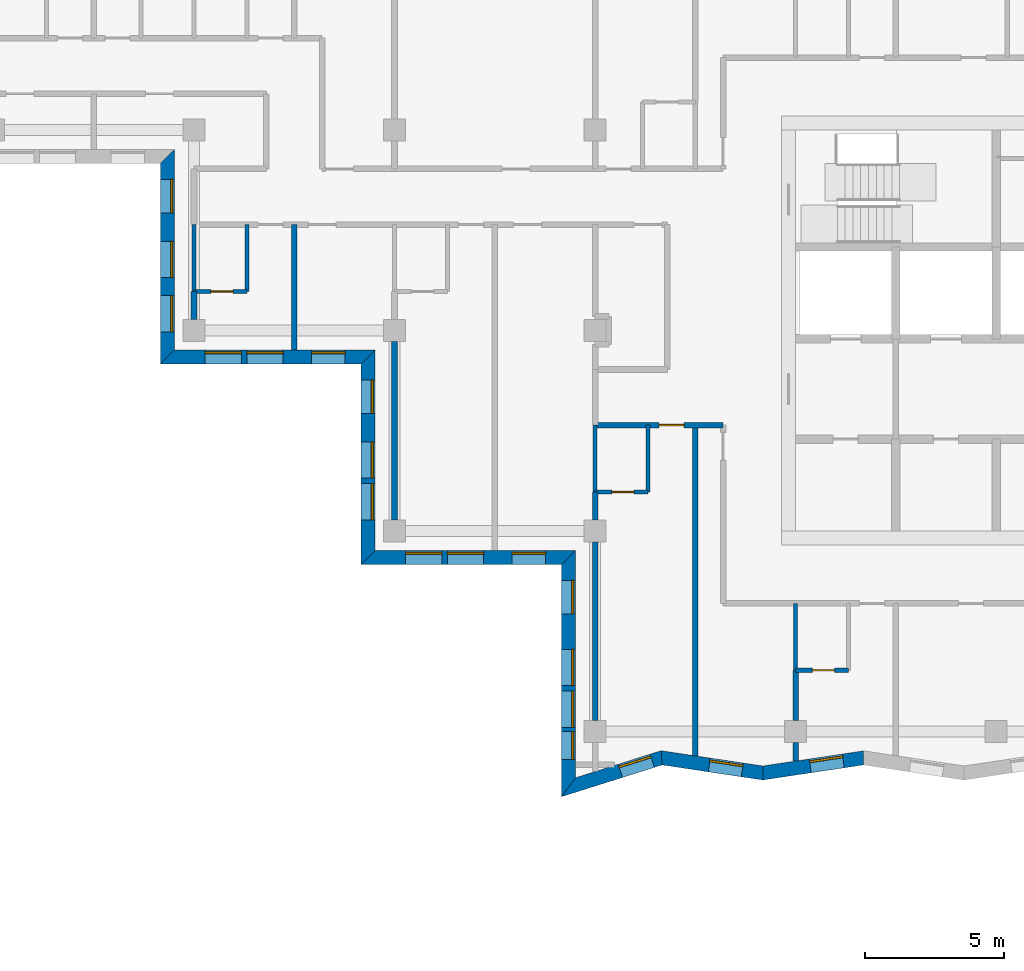
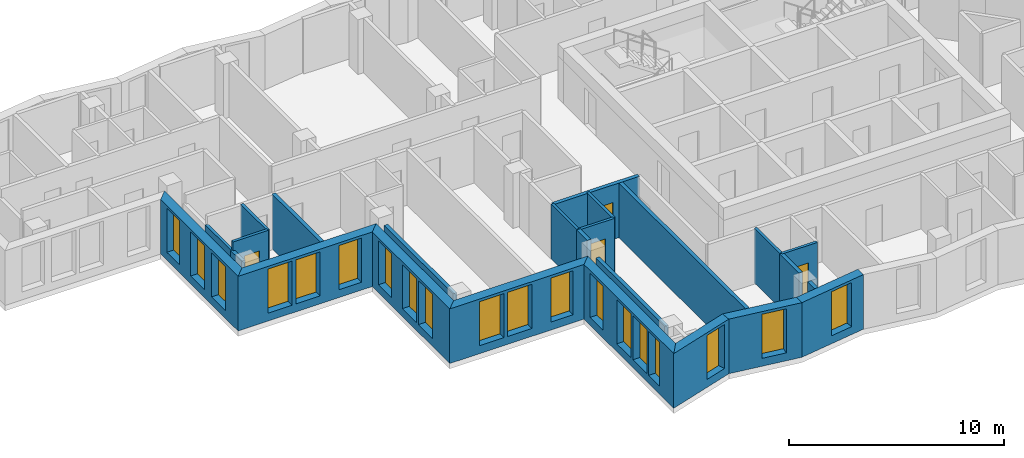
# One storey, part 2 of 13: 25 walls, 19 windows, 4 doors, 23 openings.
"""IFC4 building model written with IfcOpenShell, lengths in metres."""

from ifc_helpers import new_model, si_unit, direction, frame, frame_2d, origin, place, context, subcontext, project, spatial, polyline, rectangle, outline, extrude, material, layer, layer_set, type_object, element, fill, save


model = new_model("IFC4")

# Units and contexts
model_context = context("Model", 3, precision=1e-05, world=origin(), true_north=direction((0.0, 1.0)))
body_context = subcontext(model_context, "Body", "Model", "MODEL_VIEW")
ifc_project = project(units=[si_unit("LENGTHUNIT", "METRE"), si_unit("AREAUNIT", "SQUARE_METRE"), si_unit("VOLUMEUNIT", "CUBIC_METRE"), si_unit("PLANEANGLEUNIT", "RADIAN"), si_unit("MASSUNIT", "GRAM", prefix="KILO")], contexts=[model_context])

# Site, building, storey
site_placement = place(None, origin())
site = spatial("IfcSite", under=ifc_project, at=site_placement, CompositionType="ELEMENT")
building_placement = place(site_placement, origin())
building = spatial("IfcBuilding", under=site, at=building_placement, Name="Windrow Commons", CompositionType="ELEMENT")
storey_placement = place(building_placement, frame((0.0, 0.0, 216.8)))
storey = spatial("IfcBuildingStorey", under=building, at=storey_placement, Name="L59", CompositionType="ELEMENT", Elevation=216.8)

# Wall, openings, windows
ifc_material_1 = material(Name="Brick masonry, red clay brick", Category="masonry")
ifc_layer_1 = layer(ifc_material_1, 0.5)
ifc_layer_set_1 = layer_set([ifc_layer_1], Name="Brick facade wall 500")
wall_type_1 = type_object("IfcWallType", Name="Brick facade wall 500", PredefinedType="SOLIDWALL", material=ifc_layer_set_1)
wall_1_placement = place(storey_placement, frame((35.05, 63.85, 0.0), z_axis=(0.0, 0.0, 1.0), x_axis=(0.0, -1.0, 0.0)))
wall_1 = element("IfcWall", 1, at=wall_1_placement, inside=storey, type_object=wall_type_1, Name="Brick facade wall L59 33", PredefinedType="SOLIDWALL", context=body_context, shape_type="SweptSolid", body=[
    extrude(outline(polyline([(0.25, -0.25), (7.45, -0.25), (6.95, 0.25), (-0.25, 0.25), (0.25, -0.25)])), origin(), (0.0, 0.0, 1.0), 3.1),
])
opening_1_placement = place(wall_1_placement, frame((3.05, 0.0, 0.45)))
opening_1 = element("IfcOpeningElement", 2, at=opening_1_placement, cuts=wall_1, Name="Opening W1Q", PredefinedType="OPENING", context=body_context, shape_type="SweptSolid", body=[
    extrude(rectangle(XDim=1.3, YDim=2.5, at=frame_2d((0.65, 1.25))), frame((0.0, 0.26, 0.0), z_axis=(0.0, -1.0, 0.0), x_axis=(1.0, 0.0, 0.0)), (0.0, 0.0, 1.0), 0.52),
])
opening_2_placement = place(wall_1_placement, frame((5.0, 0.0, 0.45)))
opening_2 = element("IfcOpeningElement", 3, at=opening_2_placement, cuts=wall_1, Name="Opening W1Q", PredefinedType="OPENING", context=body_context, shape_type="SweptSolid", body=[
    extrude(rectangle(XDim=1.3, YDim=2.5, at=frame_2d((0.65, 1.25))), frame((0.0, 0.26, 0.0), z_axis=(0.0, -1.0, 0.0), x_axis=(1.0, 0.0, 0.0)), (0.0, 0.0, 1.0), 0.52),
])
opening_3_placement = place(wall_1_placement, frame((0.825, 0.0, 0.45)))
opening_3 = element("IfcOpeningElement", 4, at=opening_3_placement, cuts=wall_1, Name="Opening W7E", PredefinedType="OPENING", context=body_context, shape_type="SweptSolid", body=[
    extrude(rectangle(XDim=1.2, YDim=2.5, at=frame_2d((0.6, 1.25))), frame((0.0, 0.26, 0.0), z_axis=(0.0, -1.0, 0.0), x_axis=(1.0, 0.0, 0.0)), (0.0, 0.0, 1.0), 0.52),
])
ifc_material_2 = material(Name="Clear float glass in anodised aluminium frame", Category="aluminium")
window_type_1 = type_object("IfcWindowType", Name="Window W1Q pair 1300x2500", PartitioningType="SINGLE_PANEL", PredefinedType="WINDOW", material=ifc_material_2)
window_1_placement = place(opening_1_placement, origin())
window_1 = element("IfcWindow", 5, at=window_1_placement, inside=storey, type_object=window_type_1, Name="Window L59 33.1A", OverallHeight=2.5, OverallWidth=1.3, PartitioningType="SINGLE_PANEL", PredefinedType="WINDOW", context=body_context, shape_type="SweptSolid", body=[
    extrude(rectangle(XDim=1.3, YDim=2.5, at=frame_2d((0.65, 1.25))), frame((0.0, 0.18, 0.0), z_axis=(0.0, -1.0, 0.0), x_axis=(1.0, 0.0, 0.0)), (0.0, 0.0, 1.0), 0.06),
])
fill(opening_1, window_1)
window_2_placement = place(opening_2_placement, origin())
window_2 = element("IfcWindow", 6, at=window_2_placement, inside=storey, type_object=window_type_1, Name="Window L59 33.1B", OverallHeight=2.5, OverallWidth=1.3, PartitioningType="SINGLE_PANEL", PredefinedType="WINDOW", context=body_context, shape_type="SweptSolid", body=[
    extrude(rectangle(XDim=1.3, YDim=2.5, at=frame_2d((0.65, 1.25))), frame((0.0, 0.18, 0.0), z_axis=(0.0, -1.0, 0.0), x_axis=(1.0, 0.0, 0.0)), (0.0, 0.0, 1.0), 0.06),
])
fill(opening_2, window_2)
ifc_material_3 = material(Name="Clear float glass in anodised aluminium frame", Category="aluminium")
window_type_2 = type_object("IfcWindowType", Name="Window W7 notch 1200x2500", PartitioningType="SINGLE_PANEL", PredefinedType="WINDOW", material=ifc_material_3)
window_3_placement = place(opening_3_placement, origin())
window_3 = element("IfcWindow", 7, at=window_3_placement, inside=storey, type_object=window_type_2, Name="Window L59 33.2", OverallHeight=2.5, OverallWidth=1.2, PartitioningType="SINGLE_PANEL", PredefinedType="WINDOW", context=body_context, shape_type="SweptSolid", body=[
    extrude(rectangle(XDim=1.2, YDim=2.5, at=frame_2d((0.6, 1.25))), frame((0.0, 0.18, 0.0), z_axis=(0.0, -1.0, 0.0), x_axis=(1.0, 0.0, 0.0)), (0.0, 0.0, 1.0), 0.06),
])
fill(opening_3, window_3)

wall_2_placement = place(storey_placement, frame((35.05, 56.65, 0.0), z_axis=(0.0, 0.0, 1.0), x_axis=(1.0, 0.0, 0.0)))
wall_2 = element("IfcWall", 8, at=wall_2_placement, inside=storey, type_object=wall_type_1, Name="Brick facade wall L59 34", PredefinedType="SOLIDWALL", context=body_context, shape_type="SweptSolid", body=[
    extrude(outline(polyline([(-0.25, -0.25), (6.95, -0.25), (7.45, 0.25), (0.25, 0.25), (-0.25, -0.25)])), origin(), (0.0, 0.0, 1.0), 3.1),
])
opening_4_placement = place(wall_2_placement, frame((1.35, 0.0, 0.45)))
opening_4 = element("IfcOpeningElement", 9, at=opening_4_placement, cuts=wall_2, Name="Opening W1Q", PredefinedType="OPENING", context=body_context, shape_type="SweptSolid", body=[
    extrude(rectangle(XDim=1.3, YDim=2.5, at=frame_2d((0.65, 1.25))), frame((0.0, 0.26, 0.0), z_axis=(0.0, -1.0, 0.0), x_axis=(1.0, 0.0, 0.0)), (0.0, 0.0, 1.0), 0.52),
])
opening_5_placement = place(wall_2_placement, frame((2.85, 0.0, 0.45)))
opening_5 = element("IfcOpeningElement", 10, at=opening_5_placement, cuts=wall_2, Name="Opening W1Q", PredefinedType="OPENING", context=body_context, shape_type="SweptSolid", body=[
    extrude(rectangle(XDim=1.3, YDim=2.5, at=frame_2d((0.65, 1.25))), frame((0.0, 0.26, 0.0), z_axis=(0.0, -1.0, 0.0), x_axis=(1.0, 0.0, 0.0)), (0.0, 0.0, 1.0), 0.52),
])
opening_6_placement = place(wall_2_placement, frame((5.175, 0.0, 0.45)))
opening_6 = element("IfcOpeningElement", 11, at=opening_6_placement, cuts=wall_2, Name="Opening W7E", PredefinedType="OPENING", context=body_context, shape_type="SweptSolid", body=[
    extrude(rectangle(XDim=1.2, YDim=2.5, at=frame_2d((0.6, 1.25))), frame((0.0, 0.26, 0.0), z_axis=(0.0, -1.0, 0.0), x_axis=(1.0, 0.0, 0.0)), (0.0, 0.0, 1.0), 0.52),
])
window_4_placement = place(opening_4_placement, origin())
window_4 = element("IfcWindow", 12, at=window_4_placement, inside=storey, type_object=window_type_1, Name="Window L59 34.1A", OverallHeight=2.5, OverallWidth=1.3, PartitioningType="SINGLE_PANEL", PredefinedType="WINDOW", context=body_context, shape_type="SweptSolid", body=[
    extrude(rectangle(XDim=1.3, YDim=2.5, at=frame_2d((0.65, 1.25))), frame((0.0, 0.18, 0.0), z_axis=(0.0, -1.0, 0.0), x_axis=(1.0, 0.0, 0.0)), (0.0, 0.0, 1.0), 0.06),
])
fill(opening_4, window_4)
window_5_placement = place(opening_5_placement, origin())
window_5 = element("IfcWindow", 13, at=window_5_placement, inside=storey, type_object=window_type_1, Name="Window L59 34.1B", OverallHeight=2.5, OverallWidth=1.3, PartitioningType="SINGLE_PANEL", PredefinedType="WINDOW", context=body_context, shape_type="SweptSolid", body=[
    extrude(rectangle(XDim=1.3, YDim=2.5, at=frame_2d((0.65, 1.25))), frame((0.0, 0.18, 0.0), z_axis=(0.0, -1.0, 0.0), x_axis=(1.0, 0.0, 0.0)), (0.0, 0.0, 1.0), 0.06),
])
fill(opening_5, window_5)
window_6_placement = place(opening_6_placement, origin())
window_6 = element("IfcWindow", 14, at=window_6_placement, inside=storey, type_object=window_type_2, Name="Window L59 34.2", OverallHeight=2.5, OverallWidth=1.2, PartitioningType="SINGLE_PANEL", PredefinedType="WINDOW", context=body_context, shape_type="SweptSolid", body=[
    extrude(rectangle(XDim=1.2, YDim=2.5, at=frame_2d((0.6, 1.25))), frame((0.0, 0.18, 0.0), z_axis=(0.0, -1.0, 0.0), x_axis=(1.0, 0.0, 0.0)), (0.0, 0.0, 1.0), 0.06),
])
fill(opening_6, window_6)

wall_3_placement = place(storey_placement, frame((42.25, 56.65, 0.0), z_axis=(0.0, 0.0, 1.0), x_axis=(0.0, -1.0, 0.0)))
wall_3 = element("IfcWall", 15, at=wall_3_placement, inside=storey, type_object=wall_type_1, Name="Brick facade wall L59 35", PredefinedType="SOLIDWALL", context=body_context, shape_type="SweptSolid", body=[
    extrude(outline(polyline([(0.25, -0.25), (7.45, -0.25), (6.95, 0.25), (-0.25, 0.25), (0.25, -0.25)])), origin(), (0.0, 0.0, 1.0), 3.1),
])
opening_7_placement = place(wall_3_placement, frame((3.05, 0.0, 0.45)))
opening_7 = element("IfcOpeningElement", 16, at=opening_7_placement, cuts=wall_3, Name="Opening W1Q", PredefinedType="OPENING", context=body_context, shape_type="SweptSolid", body=[
    extrude(rectangle(XDim=1.3, YDim=2.5, at=frame_2d((0.65, 1.25))), frame((0.0, 0.26, 0.0), z_axis=(0.0, -1.0, 0.0), x_axis=(1.0, 0.0, 0.0)), (0.0, 0.0, 1.0), 0.52),
])
opening_8_placement = place(wall_3_placement, frame((4.55, 0.0, 0.45)))
opening_8 = element("IfcOpeningElement", 17, at=opening_8_placement, cuts=wall_3, Name="Opening W1Q", PredefinedType="OPENING", context=body_context, shape_type="SweptSolid", body=[
    extrude(rectangle(XDim=1.3, YDim=2.5, at=frame_2d((0.65, 1.25))), frame((0.0, 0.26, 0.0), z_axis=(0.0, -1.0, 0.0), x_axis=(1.0, 0.0, 0.0)), (0.0, 0.0, 1.0), 0.52),
])
opening_9_placement = place(wall_3_placement, frame((0.825, 0.0, 0.45)))
opening_9 = element("IfcOpeningElement", 18, at=opening_9_placement, cuts=wall_3, Name="Opening W7E", PredefinedType="OPENING", context=body_context, shape_type="SweptSolid", body=[
    extrude(rectangle(XDim=1.2, YDim=2.5, at=frame_2d((0.6, 1.25))), frame((0.0, 0.26, 0.0), z_axis=(0.0, -1.0, 0.0), x_axis=(1.0, 0.0, 0.0)), (0.0, 0.0, 1.0), 0.52),
])
window_7_placement = place(opening_7_placement, origin())
window_7 = element("IfcWindow", 19, at=window_7_placement, inside=storey, type_object=window_type_1, Name="Window L59 35.1A", OverallHeight=2.5, OverallWidth=1.3, PartitioningType="SINGLE_PANEL", PredefinedType="WINDOW", context=body_context, shape_type="SweptSolid", body=[
    extrude(rectangle(XDim=1.3, YDim=2.5, at=frame_2d((0.65, 1.25))), frame((0.0, 0.18, 0.0), z_axis=(0.0, -1.0, 0.0), x_axis=(1.0, 0.0, 0.0)), (0.0, 0.0, 1.0), 0.06),
])
fill(opening_7, window_7)
window_8_placement = place(opening_8_placement, origin())
window_8 = element("IfcWindow", 20, at=window_8_placement, inside=storey, type_object=window_type_1, Name="Window L59 35.1B", OverallHeight=2.5, OverallWidth=1.3, PartitioningType="SINGLE_PANEL", PredefinedType="WINDOW", context=body_context, shape_type="SweptSolid", body=[
    extrude(rectangle(XDim=1.3, YDim=2.5, at=frame_2d((0.65, 1.25))), frame((0.0, 0.18, 0.0), z_axis=(0.0, -1.0, 0.0), x_axis=(1.0, 0.0, 0.0)), (0.0, 0.0, 1.0), 0.06),
])
fill(opening_8, window_8)
window_9_placement = place(opening_9_placement, origin())
window_9 = element("IfcWindow", 21, at=window_9_placement, inside=storey, type_object=window_type_2, Name="Window L59 35.2", OverallHeight=2.5, OverallWidth=1.2, PartitioningType="SINGLE_PANEL", PredefinedType="WINDOW", context=body_context, shape_type="SweptSolid", body=[
    extrude(rectangle(XDim=1.2, YDim=2.5, at=frame_2d((0.6, 1.25))), frame((0.0, 0.18, 0.0), z_axis=(0.0, -1.0, 0.0), x_axis=(1.0, 0.0, 0.0)), (0.0, 0.0, 1.0), 0.06),
])
fill(opening_9, window_9)

wall_4_placement = place(storey_placement, frame((42.25, 49.45, 0.0), z_axis=(0.0, 0.0, 1.0), x_axis=(1.0, 0.0, 0.0)))
wall_4 = element("IfcWall", 22, at=wall_4_placement, inside=storey, type_object=wall_type_1, Name="Brick facade wall L59 36", PredefinedType="SOLIDWALL", context=body_context, shape_type="SweptSolid", body=[
    extrude(outline(polyline([(-0.25, -0.25), (6.95, -0.25), (7.45, 0.25), (0.25, 0.25), (-0.25, -0.25)])), origin(), (0.0, 0.0, 1.0), 3.1),
])
opening_10_placement = place(wall_4_placement, frame((1.35, 0.0, 0.45)))
opening_10 = element("IfcOpeningElement", 23, at=opening_10_placement, cuts=wall_4, Name="Opening W1Q", PredefinedType="OPENING", context=body_context, shape_type="SweptSolid", body=[
    extrude(rectangle(XDim=1.3, YDim=2.5, at=frame_2d((0.65, 1.25))), frame((0.0, 0.26, 0.0), z_axis=(0.0, -1.0, 0.0), x_axis=(1.0, 0.0, 0.0)), (0.0, 0.0, 1.0), 0.52),
])
opening_11_placement = place(wall_4_placement, frame((2.85, 0.0, 0.45)))
opening_11 = element("IfcOpeningElement", 24, at=opening_11_placement, cuts=wall_4, Name="Opening W1Q", PredefinedType="OPENING", context=body_context, shape_type="SweptSolid", body=[
    extrude(rectangle(XDim=1.3, YDim=2.5, at=frame_2d((0.65, 1.25))), frame((0.0, 0.26, 0.0), z_axis=(0.0, -1.0, 0.0), x_axis=(1.0, 0.0, 0.0)), (0.0, 0.0, 1.0), 0.52),
])
opening_12_placement = place(wall_4_placement, frame((5.175, 0.0, 0.45)))
opening_12 = element("IfcOpeningElement", 25, at=opening_12_placement, cuts=wall_4, Name="Opening W7E", PredefinedType="OPENING", context=body_context, shape_type="SweptSolid", body=[
    extrude(rectangle(XDim=1.2, YDim=2.5, at=frame_2d((0.6, 1.25))), frame((0.0, 0.26, 0.0), z_axis=(0.0, -1.0, 0.0), x_axis=(1.0, 0.0, 0.0)), (0.0, 0.0, 1.0), 0.52),
])
window_10_placement = place(opening_10_placement, origin())
window_10 = element("IfcWindow", 26, at=window_10_placement, inside=storey, type_object=window_type_1, Name="Window L59 36.1A", OverallHeight=2.5, OverallWidth=1.3, PartitioningType="SINGLE_PANEL", PredefinedType="WINDOW", context=body_context, shape_type="SweptSolid", body=[
    extrude(rectangle(XDim=1.3, YDim=2.5, at=frame_2d((0.65, 1.25))), frame((0.0, 0.18, 0.0), z_axis=(0.0, -1.0, 0.0), x_axis=(1.0, 0.0, 0.0)), (0.0, 0.0, 1.0), 0.06),
])
fill(opening_10, window_10)
window_11_placement = place(opening_11_placement, origin())
window_11 = element("IfcWindow", 27, at=window_11_placement, inside=storey, type_object=window_type_1, Name="Window L59 36.1B", OverallHeight=2.5, OverallWidth=1.3, PartitioningType="SINGLE_PANEL", PredefinedType="WINDOW", context=body_context, shape_type="SweptSolid", body=[
    extrude(rectangle(XDim=1.3, YDim=2.5, at=frame_2d((0.65, 1.25))), frame((0.0, 0.18, 0.0), z_axis=(0.0, -1.0, 0.0), x_axis=(1.0, 0.0, 0.0)), (0.0, 0.0, 1.0), 0.06),
])
fill(opening_11, window_11)
window_12_placement = place(opening_12_placement, origin())
window_12 = element("IfcWindow", 28, at=window_12_placement, inside=storey, type_object=window_type_2, Name="Window L59 36.2", OverallHeight=2.5, OverallWidth=1.2, PartitioningType="SINGLE_PANEL", PredefinedType="WINDOW", context=body_context, shape_type="SweptSolid", body=[
    extrude(rectangle(XDim=1.2, YDim=2.5, at=frame_2d((0.6, 1.25))), frame((0.0, 0.18, 0.0), z_axis=(0.0, -1.0, 0.0), x_axis=(1.0, 0.0, 0.0)), (0.0, 0.0, 1.0), 0.06),
])
fill(opening_12, window_12)

wall_5_placement = place(storey_placement, frame((49.45, 49.45, 0.0), z_axis=(0.0, 0.0, 1.0), x_axis=(0.0, -1.0, 0.0)))
wall_5 = element("IfcWall", 29, at=wall_5_placement, inside=storey, type_object=wall_type_1, Name="Brick facade wall L59 37", PredefinedType="SOLIDWALL", context=body_context, shape_type="SweptSolid", body=[
    extrude(outline(polyline([(0.25, -0.25), (8.592, -0.25), (7.9095, 0.25), (-0.25, 0.25), (0.25, -0.25)])), origin(), (0.0, 0.0, 1.0), 3.1),
])
opening_13_placement = place(wall_5_placement, frame((3.3, 0.0, 0.45)))
opening_13 = element("IfcOpeningElement", 30, at=opening_13_placement, cuts=wall_5, Name="Opening W1Q", PredefinedType="OPENING", context=body_context, shape_type="SweptSolid", body=[
    extrude(rectangle(XDim=1.3, YDim=2.5, at=frame_2d((0.65, 1.25))), frame((0.0, 0.26, 0.0), z_axis=(0.0, -1.0, 0.0), x_axis=(1.0, 0.0, 0.0)), (0.0, 0.0, 1.0), 0.52),
])
opening_14_placement = place(wall_5_placement, frame((4.8, 0.0, 0.45)))
opening_14 = element("IfcOpeningElement", 31, at=opening_14_placement, cuts=wall_5, Name="Opening W1Q", PredefinedType="OPENING", context=body_context, shape_type="SweptSolid", body=[
    extrude(rectangle(XDim=1.3, YDim=2.5, at=frame_2d((0.65, 1.25))), frame((0.0, 0.26, 0.0), z_axis=(0.0, -1.0, 0.0), x_axis=(1.0, 0.0, 0.0)), (0.0, 0.0, 1.0), 0.52),
])
opening_15_placement = place(wall_5_placement, frame((0.825, 0.0, 0.45)))
opening_15 = element("IfcOpeningElement", 32, at=opening_15_placement, cuts=wall_5, Name="Opening W7E", PredefinedType="OPENING", context=body_context, shape_type="SweptSolid", body=[
    extrude(rectangle(XDim=1.2, YDim=2.5, at=frame_2d((0.6, 1.25))), frame((0.0, 0.26, 0.0), z_axis=(0.0, -1.0, 0.0), x_axis=(1.0, 0.0, 0.0)), (0.0, 0.0, 1.0), 0.52),
])
opening_16_placement = place(wall_5_placement, frame((6.25, 0.0, 0.45)))
opening_16 = element("IfcOpeningElement", 33, at=opening_16_placement, cuts=wall_5, Name="Opening W1S", PredefinedType="OPENING", context=body_context, shape_type="SweptSolid", body=[
    extrude(rectangle(XDim=1.0, YDim=2.5, at=frame_2d((0.5, 1.25))), frame((0.0, 0.26, 0.0), z_axis=(0.0, -1.0, 0.0), x_axis=(1.0, 0.0, 0.0)), (0.0, 0.0, 1.0), 0.52),
])
window_13_placement = place(opening_13_placement, origin())
window_13 = element("IfcWindow", 34, at=window_13_placement, inside=storey, type_object=window_type_1, Name="Window L59 37.1A", OverallHeight=2.5, OverallWidth=1.3, PartitioningType="SINGLE_PANEL", PredefinedType="WINDOW", context=body_context, shape_type="SweptSolid", body=[
    extrude(rectangle(XDim=1.3, YDim=2.5, at=frame_2d((0.65, 1.25))), frame((0.0, 0.18, 0.0), z_axis=(0.0, -1.0, 0.0), x_axis=(1.0, 0.0, 0.0)), (0.0, 0.0, 1.0), 0.06),
])
fill(opening_13, window_13)
window_14_placement = place(opening_14_placement, origin())
window_14 = element("IfcWindow", 35, at=window_14_placement, inside=storey, type_object=window_type_1, Name="Window L59 37.1B", OverallHeight=2.5, OverallWidth=1.3, PartitioningType="SINGLE_PANEL", PredefinedType="WINDOW", context=body_context, shape_type="SweptSolid", body=[
    extrude(rectangle(XDim=1.3, YDim=2.5, at=frame_2d((0.65, 1.25))), frame((0.0, 0.18, 0.0), z_axis=(0.0, -1.0, 0.0), x_axis=(1.0, 0.0, 0.0)), (0.0, 0.0, 1.0), 0.06),
])
fill(opening_14, window_14)
ifc_material_4 = material(Name="Clear float glass in anodised aluminium frame", Category="aluminium")
window_type_3 = type_object("IfcWindowType", Name="Window W1S slit 1000x2500", PartitioningType="SINGLE_PANEL", PredefinedType="WINDOW", material=ifc_material_4)
window_15_placement = place(opening_16_placement, origin())
window_15 = element("IfcWindow", 36, at=window_15_placement, inside=storey, type_object=window_type_3, Name="Window L59 37.3A", OverallHeight=2.5, OverallWidth=1.0, PartitioningType="SINGLE_PANEL", PredefinedType="WINDOW", context=body_context, shape_type="SweptSolid", body=[
    extrude(rectangle(XDim=1.0, YDim=2.5, at=frame_2d((0.5, 1.25))), frame((0.0, 0.18, 0.0), z_axis=(0.0, -1.0, 0.0), x_axis=(1.0, 0.0, 0.0)), (0.0, 0.0, 1.0), 0.06),
])
fill(opening_16, window_15)
window_16_placement = place(opening_15_placement, origin())
window_16 = element("IfcWindow", 37, at=window_16_placement, inside=storey, type_object=window_type_2, Name="Window L59 37.2", OverallHeight=2.5, OverallWidth=1.2, PartitioningType="SINGLE_PANEL", PredefinedType="WINDOW", context=body_context, shape_type="SweptSolid", body=[
    extrude(rectangle(XDim=1.2, YDim=2.5, at=frame_2d((0.6, 1.25))), frame((0.0, 0.18, 0.0), z_axis=(0.0, -1.0, 0.0), x_axis=(1.0, 0.0, 0.0)), (0.0, 0.0, 1.0), 0.06),
])
fill(opening_15, window_16)

# Wall, opening, window
wall_6_placement = place(storey_placement, frame((49.45, 41.1992, 0.0), z_axis=(0.0, 0.0, 1.0), x_axis=(0.9534843061, 0.3014426612, 0.0)))
wall_6 = element("IfcWall", 38, at=wall_6_placement, inside=storey, type_object=wall_type_1, Name="Brick facade wall L59 38", PredefinedType="SOLIDWALL", context=body_context, shape_type="SweptSolid", body=[
    extrude(outline(polyline([(-0.3412, -0.25), (3.4472, -0.25), (3.563, 0.25), (0.3412, 0.25), (-0.3412, -0.25)])), origin(), (0.0, 0.0, 1.0), 3.1),
])
opening_17_placement = place(wall_6_placement, frame((1.9507, 0.0, 0.45)))
opening_17 = element("IfcOpeningElement", 39, at=opening_17_placement, cuts=wall_6, Name="Opening W7E", PredefinedType="OPENING", context=body_context, shape_type="SweptSolid", body=[
    extrude(rectangle(XDim=1.2, YDim=2.5, at=frame_2d((0.6, 1.25))), frame((0.0, 0.26, 0.0), z_axis=(0.0, -1.0, 0.0), x_axis=(1.0, 0.0, 0.0)), (0.0, 0.0, 1.0), 0.52),
])
window_17_placement = place(opening_17_placement, origin())
window_17 = element("IfcWindow", 40, at=window_17_placement, inside=storey, type_object=window_type_2, Name="Window L59 38.1", OverallHeight=2.5, OverallWidth=1.2, PartitioningType="SINGLE_PANEL", PredefinedType="WINDOW", context=body_context, shape_type="SweptSolid", body=[
    extrude(rectangle(XDim=1.2, YDim=2.5, at=frame_2d((0.6, 1.25))), frame((0.0, 0.18, 0.0), z_axis=(0.0, -1.0, 0.0), x_axis=(1.0, 0.0, 0.0)), (0.0, 0.0, 1.0), 0.06),
])
fill(opening_17, window_17)

wall_7_placement = place(storey_placement, frame((52.7921, 42.2558, 0.0), z_axis=(0.0, 0.0, 1.0), x_axis=(0.9889307607, -0.1483777295, 0.0)))
wall_7 = element("IfcWall", 41, at=wall_7_placement, inside=storey, type_object=wall_type_1, Name="Brick facade wall L59 39", PredefinedType="SOLIDWALL", context=body_context, shape_type="SweptSolid", body=[
    extrude(outline(polyline([(0.0579, -0.25), (3.7106, -0.25), (3.6355, 0.25), (-0.0579, 0.25), (0.0579, -0.25)])), origin(), (0.0, 0.0, 1.0), 3.1),
])
opening_18_placement = place(wall_7_placement, frame((1.7285, 0.0, 0.45)))
opening_18 = element("IfcOpeningElement", 42, at=opening_18_placement, cuts=wall_7, Name="Opening W7E", PredefinedType="OPENING", context=body_context, shape_type="SweptSolid", body=[
    extrude(rectangle(XDim=1.2, YDim=2.5, at=frame_2d((0.6, 1.25))), frame((0.0, 0.26, 0.0), z_axis=(0.0, -1.0, 0.0), x_axis=(1.0, 0.0, 0.0)), (0.0, 0.0, 1.0), 0.52),
])
window_18_placement = place(opening_18_placement, origin())
window_18 = element("IfcWindow", 43, at=window_18_placement, inside=storey, type_object=window_type_2, Name="Window L59 39.1", OverallHeight=2.5, OverallWidth=1.2, PartitioningType="SINGLE_PANEL", PredefinedType="WINDOW", context=body_context, shape_type="SweptSolid", body=[
    extrude(rectangle(XDim=1.2, YDim=2.5, at=frame_2d((0.6, 1.25))), frame((0.0, 0.18, 0.0), z_axis=(0.0, -1.0, 0.0), x_axis=(1.0, 0.0, 0.0)), (0.0, 0.0, 1.0), 0.06),
])
fill(opening_18, window_18)

wall_8_placement = place(storey_placement, frame((56.4245, 41.7108, 0.0), z_axis=(0.0, 0.0, 1.0), x_axis=(0.9889295242, 0.1483859704, 0.0)))
wall_8 = element("IfcWall", 44, at=wall_8_placement, inside=storey, type_object=wall_type_1, Name="Brick facade wall L59 40", PredefinedType="SOLIDWALL", context=body_context, shape_type="SweptSolid", body=[
    extrude(outline(polyline([(-0.0375, -0.25), (3.6152, -0.25), (3.6902, 0.25), (0.0375, 0.25), (-0.0375, -0.25)])), origin(), (0.0, 0.0, 1.0), 3.1),
])
opening_19_placement = place(wall_8_placement, frame((1.7207, 0.0, 0.45)))
opening_19 = element("IfcOpeningElement", 45, at=opening_19_placement, cuts=wall_8, Name="Opening W7E", PredefinedType="OPENING", context=body_context, shape_type="SweptSolid", body=[
    extrude(rectangle(XDim=1.2, YDim=2.5, at=frame_2d((0.6, 1.25))), frame((0.0, 0.26, 0.0), z_axis=(0.0, -1.0, 0.0), x_axis=(1.0, 0.0, 0.0)), (0.0, 0.0, 1.0), 0.52),
])
window_19_placement = place(opening_19_placement, origin())
window_19 = element("IfcWindow", 46, at=window_19_placement, inside=storey, type_object=window_type_2, Name="Window L59 40.1", OverallHeight=2.5, OverallWidth=1.2, PartitioningType="SINGLE_PANEL", PredefinedType="WINDOW", context=body_context, shape_type="SweptSolid", body=[
    extrude(rectangle(XDim=1.2, YDim=2.5, at=frame_2d((0.6, 1.25))), frame((0.0, 0.18, 0.0), z_axis=(0.0, -1.0, 0.0), x_axis=(1.0, 0.0, 0.0)), (0.0, 0.0, 1.0), 0.06),
])
fill(opening_19, window_19)

# Wall, opening, door
ifc_material_5 = material(Name="Blockwork partition", Category="masonry")
ifc_layer_2 = layer(ifc_material_5, 0.2)
ifc_layer_set_2 = layer_set([ifc_layer_2], Name="IW-CORRIDOR-200")
wall_type_2 = type_object("IfcWallType", Name="IW-CORRIDOR-200", PredefinedType="PARTITIONING", material=ifc_layer_set_2)
wall_9_placement = place(storey_placement, frame((50.4, 54.2, 0.0), z_axis=(0.0, 0.0, 1.0), x_axis=(1.0, 0.0, 0.0)))
wall_9 = element("IfcWall", 47, at=wall_9_placement, inside=storey, type_object=wall_type_2, Name="W-L59-W035", PredefinedType="PARTITIONING", context=body_context, shape_type="SweptSolid", body=[
    extrude(rectangle(XDim=4.6, YDim=0.2, at=frame_2d((2.3, 0.0))), origin(), (0.0, 0.0, 1.0), 3.1),
])
opening_20_placement = place(wall_9_placement, frame((2.3, 0.0, 0.0)))
opening_20 = element("IfcOpeningElement", 48, at=opening_20_placement, cuts=wall_9, Name="Opening D109S", PredefinedType="OPENING", context=body_context, shape_type="SweptSolid", body=[
    extrude(rectangle(XDim=0.9, YDim=2.1, at=frame_2d((0.45, 1.05))), frame((0.0, 0.11, 0.0), z_axis=(0.0, -1.0, 0.0), x_axis=(1.0, 0.0, 0.0)), (0.0, 0.0, 1.0), 0.22),
])
ifc_material_6 = material(Name="Timber door leaf", Category="wood")
door_type_1 = type_object("IfcDoorType", Name="DT-BEDROOM-900", OperationType="SINGLE_SWING_LEFT", PredefinedType="DOOR", material=ifc_material_6)
door_1_placement = place(opening_20_placement, origin())
door_1 = element("IfcDoor", 49, at=door_1_placement, inside=storey, type_object=door_type_1, Name="D-L59-D024", OperationType="SINGLE_SWING_LEFT", OverallHeight=2.1, OverallWidth=0.9, PredefinedType="DOOR", context=body_context, shape_type="SweptSolid", body=[
    extrude(rectangle(XDim=0.9, YDim=2.1, at=frame_2d((0.45, 1.05))), frame((0.0, 0.025, 0.0), z_axis=(0.0, -1.0, 0.0), x_axis=(1.0, 0.0, 0.0)), (0.0, 0.0, 1.0), 0.05),
])
fill(opening_20, door_1)

# Walls
ifc_material_7 = material(Name="Blockwork partition", Category="masonry")
ifc_layer_3 = layer(ifc_material_7, 0.15)
ifc_layer_set_3 = layer_set([ifc_layer_3], Name="IW-ENSUITE-150")
wall_type_3 = type_object("IfcWallType", Name="IW-ENSUITE-150", PredefinedType="PARTITIONING", material=ifc_layer_set_3)
for number, where, z_axis, x_axis, name in (
    (50, (52.3, 51.8, 0.0), (0.0, 0.0, 1.0), (0.0, 1.0, 0.0), "W-L59-W073"),
    (51, (50.4, 51.8, 0.0), (0.0, 0.0, 1.0), (0.0, 1.0, 0.0), "W-L59-W074"),
    (52, (37.9, 59.0, 0.0), (0.0, 0.0, 1.0), (0.0, 1.0, 0.0), "W-L59-W075"),
):
    element("IfcWall", number, at=place(storey_placement, frame(where, z_axis=z_axis, x_axis=x_axis)), inside=storey, type_object=wall_type_3, Name=name, PredefinedType="PARTITIONING", context=body_context, shape_type="SweptSolid", body=[
        extrude(rectangle(XDim=2.4, YDim=0.15, at=frame_2d((1.2, 0.0))), origin(), (0.0, 0.0, 1.0), 3.1),
    ])
wall_10_placement = place(storey_placement, frame((36.0, 59.0, 0.0), z_axis=(0.0, 0.0, 1.0), x_axis=(0.0, 1.0, 0.0)))
element("IfcWall", 53, at=wall_10_placement, inside=storey, type_object=wall_type_3, Name="W-L59-W076", PredefinedType="PARTITIONING", context=body_context, shape_type="SweptSolid", body=[
    extrude(rectangle(XDim=2.4, YDim=0.15, at=frame_2d((1.2, 0.0))), origin(), (0.0, 0.0, 1.0), 2.6),
])
wall_11_placement = place(storey_placement, frame((57.6, 45.4, 0.0), z_axis=(0.0, 0.0, 1.0), x_axis=(0.0, 1.0, 0.0)))
element("IfcWall", 54, at=wall_11_placement, inside=storey, type_object=wall_type_3, Name="W-L59-W082", PredefinedType="PARTITIONING", context=body_context, shape_type="SweptSolid", body=[
    extrude(rectangle(XDim=2.4, YDim=0.15, at=frame_2d((1.2, 0.0))), origin(), (0.0, 0.0, 1.0), 3.1),
])

# Wall, opening, door
wall_12_placement = place(storey_placement, frame((36.0, 59.0, 0.0), z_axis=(0.0, 0.0, 1.0), x_axis=(1.0, 0.0, 0.0)))
wall_12 = element("IfcWall", 55, at=wall_12_placement, inside=storey, type_object=wall_type_3, Name="W-L59-W115", PredefinedType="PARTITIONING", context=body_context, shape_type="SweptSolid", body=[
    extrude(rectangle(XDim=1.9, YDim=0.15, at=frame_2d((0.95, 0.0))), origin(), (0.0, 0.0, 1.0), 3.1),
])
opening_21_placement = place(wall_12_placement, frame((0.6069, 0.0, 0.0)))
opening_21 = element("IfcOpeningElement", 56, at=opening_21_placement, cuts=wall_12, Name="Opening D208N", PredefinedType="OPENING", context=body_context, shape_type="SweptSolid", body=[
    extrude(rectangle(XDim=0.8, YDim=2.1, at=frame_2d((0.4, 1.05))), frame((0.0, 0.085, 0.0), z_axis=(0.0, -1.0, 0.0), x_axis=(1.0, 0.0, 0.0)), (0.0, 0.0, 1.0), 0.17),
])
ifc_material_8 = material(Name="Timber door leaf", Category="wood")
door_type_2 = type_object("IfcDoorType", Name="DT-ENSUITE-800", OperationType="SINGLE_SWING_LEFT", PredefinedType="DOOR", material=ifc_material_8)
door_2_placement = place(opening_21_placement, origin())
door_2 = element("IfcDoor", 57, at=door_2_placement, inside=storey, type_object=door_type_2, Name="D-L59-D010", OperationType="SINGLE_SWING_RIGHT", OverallHeight=2.1, OverallWidth=0.8, PredefinedType="DOOR", context=body_context, shape_type="SweptSolid", body=[
    extrude(rectangle(XDim=0.8, YDim=2.1, at=frame_2d((0.4, 1.05))), frame((0.0, 0.025, 0.0), z_axis=(0.0, -1.0, 0.0), x_axis=(1.0, 0.0, 0.0)), (0.0, 0.0, 1.0), 0.05),
])
fill(opening_21, door_2)

wall_13_placement = place(storey_placement, frame((50.4, 51.8, 0.0), z_axis=(0.0, 0.0, 1.0), x_axis=(1.0, 0.0, 0.0)))
wall_13 = element("IfcWall", 58, at=wall_13_placement, inside=storey, type_object=wall_type_3, Name="W-L59-W117", PredefinedType="PARTITIONING", context=body_context, shape_type="SweptSolid", body=[
    extrude(rectangle(XDim=1.9, YDim=0.15, at=frame_2d((0.95, 0.0))), origin(), (0.0, 0.0, 1.0), 3.1),
])
opening_22_placement = place(wall_13_placement, frame((0.6069, 0.0, 0.0)))
opening_22 = element("IfcOpeningElement", 59, at=opening_22_placement, cuts=wall_13, Name="Opening D208N", PredefinedType="OPENING", context=body_context, shape_type="SweptSolid", body=[
    extrude(rectangle(XDim=0.8, YDim=2.1, at=frame_2d((0.4, 1.05))), frame((0.0, 0.085, 0.0), z_axis=(0.0, -1.0, 0.0), x_axis=(1.0, 0.0, 0.0)), (0.0, 0.0, 1.0), 0.17),
])
door_3_placement = place(opening_22_placement, origin())
door_3 = element("IfcDoor", 60, at=door_3_placement, inside=storey, type_object=door_type_2, Name="D-L59-D025", OperationType="SINGLE_SWING_RIGHT", OverallHeight=2.1, OverallWidth=0.8, PredefinedType="DOOR", context=body_context, shape_type="SweptSolid", body=[
    extrude(rectangle(XDim=0.8, YDim=2.1, at=frame_2d((0.4, 1.05))), frame((0.0, 0.025, 0.0), z_axis=(0.0, -1.0, 0.0), x_axis=(1.0, 0.0, 0.0)), (0.0, 0.0, 1.0), 0.05),
])
fill(opening_22, door_3)

wall_14_placement = place(storey_placement, frame((57.6, 45.4, 0.0), z_axis=(0.0, 0.0, 1.0), x_axis=(1.0, 0.0, 0.0)))
wall_14 = element("IfcWall", 61, at=wall_14_placement, inside=storey, type_object=wall_type_3, Name="W-L59-W119", PredefinedType="PARTITIONING", context=body_context, shape_type="SweptSolid", body=[
    extrude(rectangle(XDim=1.9, YDim=0.15, at=frame_2d((0.95, 0.0))), origin(), (0.0, 0.0, 1.0), 3.1),
])
opening_23_placement = place(wall_14_placement, frame((0.6069, 0.0, 0.0)))
opening_23 = element("IfcOpeningElement", 62, at=opening_23_placement, cuts=wall_14, Name="Opening D208N", PredefinedType="OPENING", context=body_context, shape_type="SweptSolid", body=[
    extrude(rectangle(XDim=0.8, YDim=2.1, at=frame_2d((0.4, 1.05))), frame((0.0, 0.085, 0.0), z_axis=(0.0, -1.0, 0.0), x_axis=(1.0, 0.0, 0.0)), (0.0, 0.0, 1.0), 0.17),
])
door_4_placement = place(opening_23_placement, origin())
door_4 = element("IfcDoor", 63, at=door_4_placement, inside=storey, type_object=door_type_2, Name="D-L59-D034", OperationType="SINGLE_SWING_RIGHT", OverallHeight=2.1, OverallWidth=0.8, PredefinedType="DOOR", context=body_context, shape_type="SweptSolid", body=[
    extrude(rectangle(XDim=0.8, YDim=2.1, at=frame_2d((0.4, 1.05))), frame((0.0, 0.025, 0.0), z_axis=(0.0, -1.0, 0.0), x_axis=(1.0, 0.0, 0.0)), (0.0, 0.0, 1.0), 0.05),
])
fill(opening_23, door_4)

# Walls
ifc_material_9 = material(Name="Blockwork partition", Category="masonry")
ifc_layer_4 = layer(ifc_material_9, 0.2)
ifc_layer_set_4 = layer_set([ifc_layer_4], Name="IW-PARTY-200")
wall_type_4 = type_object("IfcWallType", Name="IW-PARTY-200", PredefinedType="PARTITIONING", material=ifc_layer_set_4)
wall_15_placement = place(storey_placement, frame((54.0, 42.3274, 0.0), z_axis=(0.0, 0.0, 1.0), x_axis=(0.0, 1.0, 0.0)))
element("IfcWall", 64, at=wall_15_placement, inside=storey, type_object=wall_type_4, Name="W-L59-W004", PredefinedType="PARTITIONING", context=body_context, shape_type="SweptSolid", body=[
    extrude(rectangle(XDim=11.8726, YDim=0.2, at=frame_2d((5.9363, 0.0))), origin(), (0.0, 0.0, 1.0), 3.1),
])
for number, where, z_axis, x_axis, name in (
    (65, (43.2, 50.8, 0.0), (0.0, 0.0, 1.0), (0.0, 1.0, 0.0), "W-L59-W018"),
    (66, (50.4, 43.6, 0.0), (0.0, 0.0, 1.0), (0.0, 1.0, 0.0), "W-L59-W020"),
):
    element("IfcWall", number, at=place(storey_placement, frame(where, z_axis=z_axis, x_axis=x_axis)), inside=storey, type_object=wall_type_4, Name=name, PredefinedType="PARTITIONING", context=body_context, shape_type="SweptSolid", body=[
        extrude(rectangle(XDim=6.4, YDim=0.2, at=frame_2d((3.2, 0.0))), origin(), (0.0, 0.0, 1.0), 2.6),
    ])
wall_16_placement = place(storey_placement, frame((39.6, 56.9, 0.0), z_axis=(0.0, 0.0, 1.0), x_axis=(0.0, 1.0, 0.0)))
element("IfcWall", 67, at=wall_16_placement, inside=storey, type_object=wall_type_4, Name="W-L59-W039", PredefinedType="PARTITIONING", context=body_context, shape_type="SweptSolid", body=[
    extrude(rectangle(XDim=4.5, YDim=0.2, at=frame_2d((2.25, 0.0))), origin(), (0.0, 0.0, 1.0), 3.1),
])
wall_17_placement = place(storey_placement, frame((57.6, 43.6, 0.0), z_axis=(0.0, 0.0, 1.0), x_axis=(0.0, 1.0, 0.0)))
element("IfcWall", 68, at=wall_17_placement, inside=storey, type_object=wall_type_4, Name="W-L59-W124", PredefinedType="PARTITIONING", context=body_context, shape_type="SweptSolid", body=[
    extrude(rectangle(XDim=1.8, YDim=0.2, at=frame_2d((0.9, 0.0))), origin(), (0.0, 0.0, 1.0), 3.1),
])
wall_18_placement = place(storey_placement, frame((36.0, 58.0, 0.0), z_axis=(0.0, 0.0, 1.0), x_axis=(0.0, 1.0, 0.0)))
element("IfcWall", 69, at=wall_18_placement, inside=storey, type_object=wall_type_4, Name="W-L59-W139", PredefinedType="PARTITIONING", context=body_context, shape_type="SweptSolid", body=[
    extrude(rectangle(XDim=1.0, YDim=0.2, at=frame_2d((0.5, 0.0))), origin(), (0.0, 0.0, 1.0), 2.6),
])
wall_19_placement = place(storey_placement, frame((50.4, 50.8, 0.0), z_axis=(0.0, 0.0, 1.0), x_axis=(0.0, 1.0, 0.0)))
element("IfcWall", 70, at=wall_19_placement, inside=storey, type_object=wall_type_4, Name="W-L59-W141", PredefinedType="PARTITIONING", context=body_context, shape_type="SweptSolid", body=[
    extrude(rectangle(XDim=1.0, YDim=0.2, at=frame_2d((0.5, 0.0))), origin(), (0.0, 0.0, 1.0), 3.1),
])
wall_20_placement = place(storey_placement, frame((57.6, 42.14, 0.0), z_axis=(0.0, 0.0, 1.0), x_axis=(0.0, 1.0, 0.0)))
element("IfcWall", 71, at=wall_20_placement, inside=storey, type_object=wall_type_4, Name="W-L59-W155", PredefinedType="PARTITIONING", context=body_context, shape_type="SweptSolid", body=[
    extrude(rectangle(XDim=0.66, YDim=0.2, at=frame_2d((0.33, 0.0))), origin(), (0.0, 0.0, 1.0), 3.1),
])

save(model, "model.ifc")
